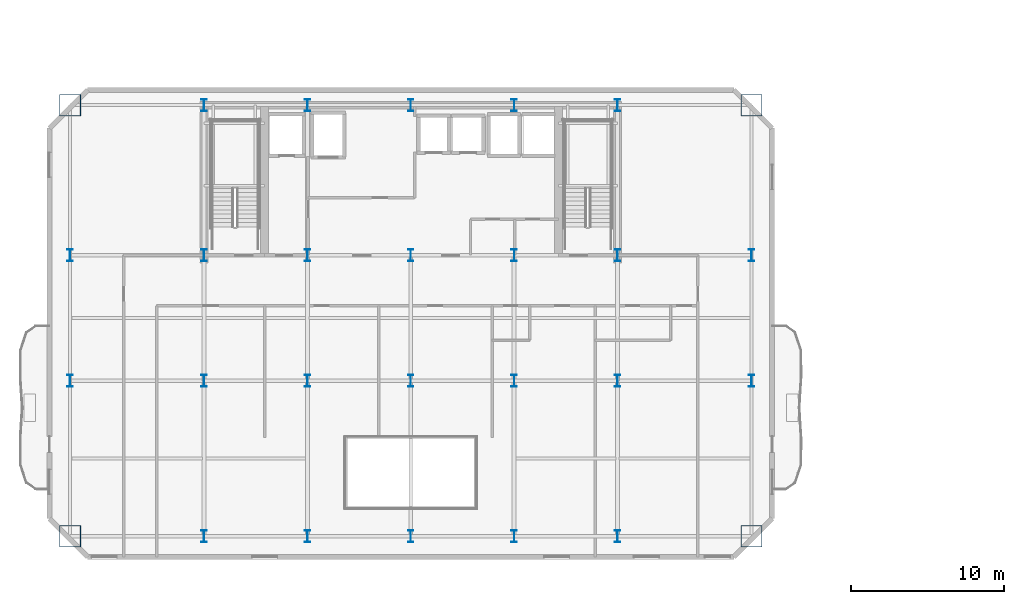
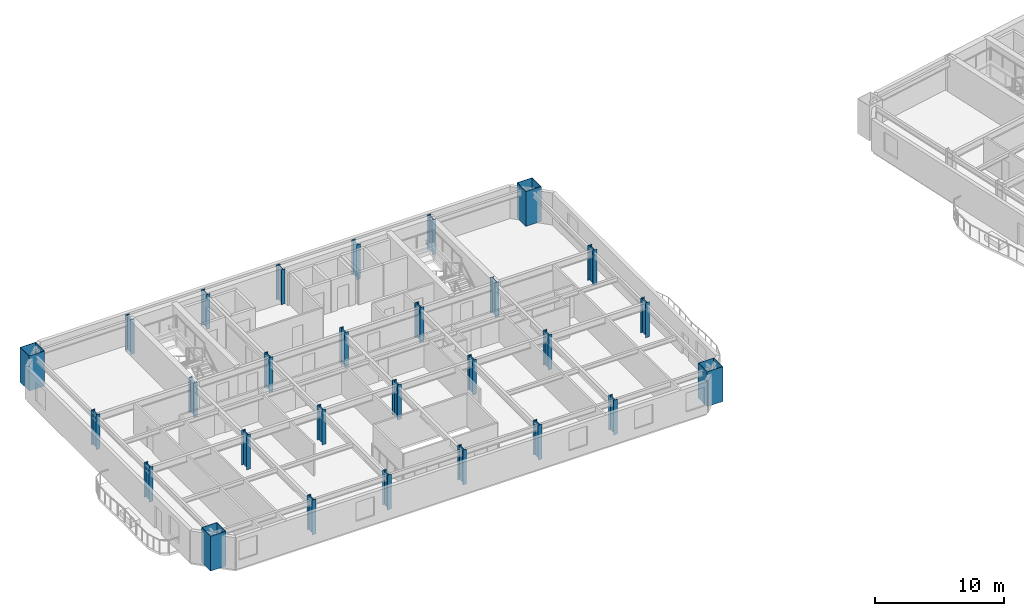
# One storey, part 1 of 13: 28 columns.
"""IFC4 building model written with IfcOpenShell, lengths in metres."""

from ifc_helpers import new_model, si_unit, direction, frame, origin, origin_2d, place, context, subcontext, project, spatial, hollow_rectangle, i_section, extrude, material, material_profile, profile_set, type_object, element, save


model = new_model("IFC4")

# Units and contexts
model_context = context("Model", 3, precision=1e-05, world=origin(), true_north=direction((0.0, 1.0)))
body_context = subcontext(model_context, "Body", "Model", "MODEL_VIEW")
ifc_project = project(units=[si_unit("LENGTHUNIT", "METRE"), si_unit("AREAUNIT", "SQUARE_METRE"), si_unit("VOLUMEUNIT", "CUBIC_METRE"), si_unit("PLANEANGLEUNIT", "RADIAN"), si_unit("MASSUNIT", "GRAM", prefix="KILO")], contexts=[model_context])

# Site, building, storey
site_placement = place(None, origin())
site = spatial("IfcSite", under=ifc_project, at=site_placement, CompositionType="ELEMENT")
building_placement = place(site_placement, origin())
building = spatial("IfcBuilding", under=site, at=building_placement, Name="Haevon Station Towers", CompositionType="ELEMENT")
storey_placement = place(building_placement, frame((0.0, 0.0, 99.89990234375)))
storey = spatial("IfcBuildingStorey", under=building, at=storey_placement, Name="L26", CompositionType="ELEMENT", Elevation=99.89990234375)

# Columns
ifc_material = material(Name="Steel S460", Category="steel")
ifc_material_profile_1 = material_profile(ifc_material, hollow_rectangle(XDim=1.39990234375, YDim=1.39990234375, WallThickness=0.035888671875, at=origin_2d()), Name="BOX-1400x1400x36")
ifc_profile_set_1 = profile_set([ifc_material_profile_1], Name="Steel S460")
column_type_1 = type_object("IfcColumnType", Name="COL-MC3", PredefinedType="COLUMN", material=ifc_profile_set_1)
for number, where, z_axis, x_axis, name in (
    (1, (15.25, 19.85009765625, 0.0), (0.0, 0.0, 1.0), (1.0, 0.0, 0.0), "COL-T1-L26-01-01"),
    (2, (15.25, 48.0, 0.0), (0.0, 0.0, 1.0), (1.0, 0.0, 0.0), "COL-T1-L26-01-04"),
    (3, (59.75, 19.85009765625, 0.0), (0.0, 0.0, 1.0), (1.0, 0.0, 0.0), "COL-T1-L26-07-01"),
    (4, (59.75, 48.0, 0.0), (0.0, 0.0, 1.0), (1.0, 0.0, 0.0), "COL-T1-L26-07-04"),
):
    element("IfcColumn", number, at=place(storey_placement, frame(where, z_axis=z_axis, x_axis=x_axis)), inside=storey, type_object=column_type_1, Name=name, PredefinedType="COLUMN", context=body_context, shape_type="SweptSolid", body=[
        extrude(hollow_rectangle(XDim=1.39990234375, YDim=1.39990234375, WallThickness=0.035888671875, at=origin_2d()), origin(), (0.0, 0.0, 1.0), 3.300048828125),
    ])
ifc_material_profile_2 = material_profile(ifc_material, i_section(OverallWidth=0.35009765625, OverallDepth=0.800048828125, WebThickness=0.01806640625, FlangeThickness=0.031982421875, at=origin_2d()), Name="H-800x350x18x32")
ifc_profile_set_2 = profile_set([ifc_material_profile_2], Name="Steel S460")
column_type_2 = type_object("IfcColumnType", Name="COL-TW2", PredefinedType="COLUMN", material=ifc_profile_set_2)
for number, where, z_axis, x_axis, name in (
    (5, (15.25, 30.0, 0.0), (0.0, 0.0, 1.0), (1.0, 0.0, 0.0), "COL-T1-L26-01-02"),
    (6, (15.25, 38.199951171875, 0.0), (0.0, 0.0, 1.0), (1.0, 0.0, 0.0), "COL-T1-L26-01-03"),
    (7, (24.0, 19.85009765625, 0.0), (0.0, 0.0, 1.0), (1.0, 0.0, 0.0), "COL-T1-L26-02-01"),
    (8, (24.0, 30.0, 0.0), (0.0, 0.0, 1.0), (1.0, 0.0, 0.0), "COL-T1-L26-02-02"),
    (9, (24.0, 38.199951171875, 0.0), (0.0, 0.0, 1.0), (1.0, 0.0, 0.0), "COL-T1-L26-02-03"),
    (10, (24.0, 48.0, 0.0), (0.0, 0.0, 1.0), (1.0, 0.0, 0.0), "COL-T1-L26-02-04"),
    (11, (30.75, 19.85009765625, 0.0), (0.0, 0.0, 1.0), (1.0, 0.0, 0.0), "COL-T1-L26-03-01"),
    (12, (30.75, 30.0, 0.0), (0.0, 0.0, 1.0), (1.0, 0.0, 0.0), "COL-T1-L26-03-02"),
    (13, (30.75, 38.199951171875, 0.0), (0.0, 0.0, 1.0), (1.0, 0.0, 0.0), "COL-T1-L26-03-03"),
    (14, (30.75, 48.0, 0.0), (0.0, 0.0, 1.0), (1.0, 0.0, 0.0), "COL-T1-L26-03-04"),
    (15, (37.5, 19.85009765625, 0.0), (0.0, 0.0, 1.0), (1.0, 0.0, 0.0), "COL-T1-L26-04-01"),
    (16, (37.5, 30.0, 0.0), (0.0, 0.0, 1.0), (1.0, 0.0, 0.0), "COL-T1-L26-04-02"),
    (17, (37.5, 38.199951171875, 0.0), (0.0, 0.0, 1.0), (1.0, 0.0, 0.0), "COL-T1-L26-04-03"),
    (18, (37.5, 48.0, 0.0), (0.0, 0.0, 1.0), (1.0, 0.0, 0.0), "COL-T1-L26-04-04"),
    (19, (44.25, 19.85009765625, 0.0), (0.0, 0.0, 1.0), (1.0, 0.0, 0.0), "COL-T1-L26-05-01"),
    (20, (44.25, 30.0, 0.0), (0.0, 0.0, 1.0), (1.0, 0.0, 0.0), "COL-T1-L26-05-02"),
    (21, (44.25, 38.199951171875, 0.0), (0.0, 0.0, 1.0), (1.0, 0.0, 0.0), "COL-T1-L26-05-03"),
    (22, (44.25, 48.0, 0.0), (0.0, 0.0, 1.0), (1.0, 0.0, 0.0), "COL-T1-L26-05-04"),
    (23, (51.0, 19.85009765625, 0.0), (0.0, 0.0, 1.0), (1.0, 0.0, 0.0), "COL-T1-L26-06-01"),
    (24, (51.0, 30.0, 0.0), (0.0, 0.0, 1.0), (1.0, 0.0, 0.0), "COL-T1-L26-06-02"),
    (25, (51.0, 38.199951171875, 0.0), (0.0, 0.0, 1.0), (1.0, 0.0, 0.0), "COL-T1-L26-06-03"),
    (26, (51.0, 48.0, 0.0), (0.0, 0.0, 1.0), (1.0, 0.0, 0.0), "COL-T1-L26-06-04"),
    (27, (59.75, 30.0, 0.0), (0.0, 0.0, 1.0), (1.0, 0.0, 0.0), "COL-T1-L26-07-02"),
    (28, (59.75, 38.199951171875, 0.0), (0.0, 0.0, 1.0), (1.0, 0.0, 0.0), "COL-T1-L26-07-03"),
):
    element("IfcColumn", number, at=place(storey_placement, frame(where, z_axis=z_axis, x_axis=x_axis)), inside=storey, type_object=column_type_2, Name=name, PredefinedType="COLUMN", context=body_context, shape_type="SweptSolid", body=[
        extrude(i_section(OverallWidth=0.35009765625, OverallDepth=0.800048828125, WebThickness=0.01806640625, FlangeThickness=0.031982421875, at=origin_2d()), origin(), (0.0, 0.0, 1.0), 3.300048828125),
    ])

save(model, "model.ifc")
